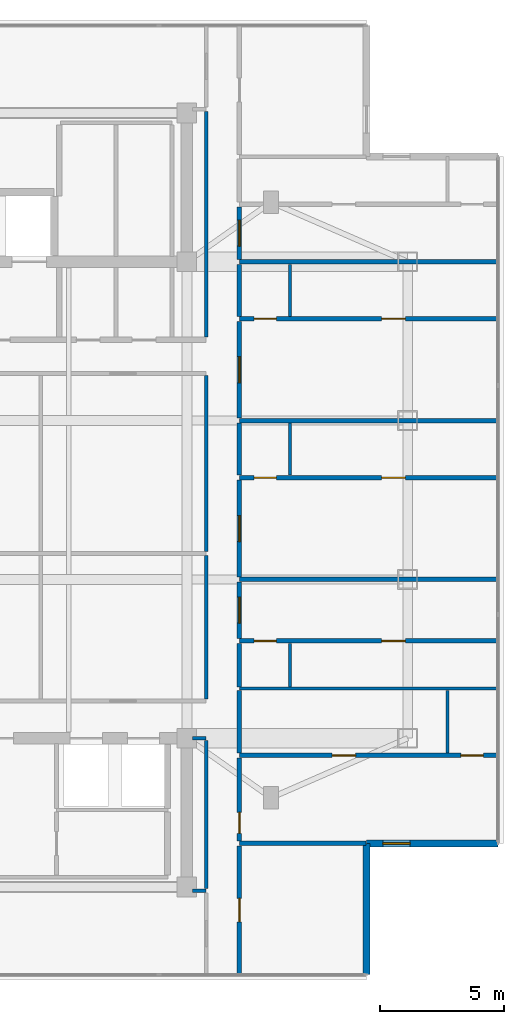
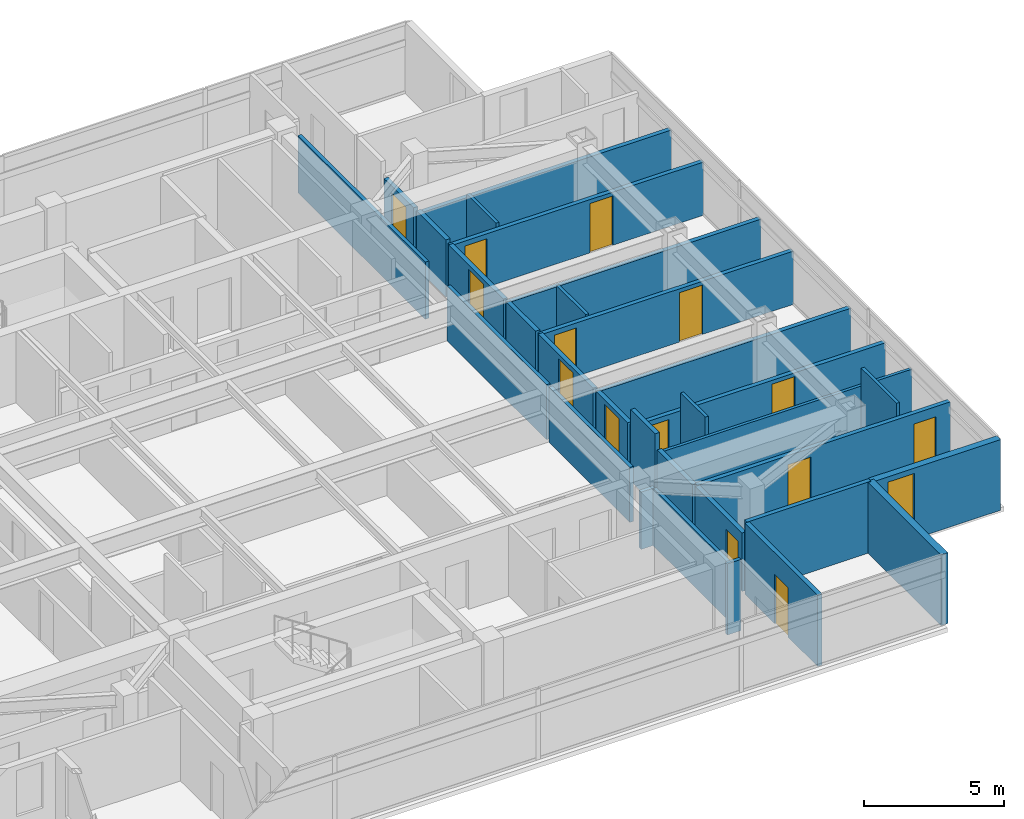
# One storey, part 10 of 14: 31 walls, 14 doors, 1 window, 15 openings.
"""IFC4 building model written with IfcOpenShell, lengths in metres."""

from ifc_helpers import new_model, si_unit, direction, frame, frame_2d, origin, place, context, subcontext, project, spatial, rectangle, extrude, material, layer, layer_set, type_object, element, fill, save


model = new_model("IFC4")

# Units and contexts
model_context = context("Model", 3, precision=1e-05, world=origin(), true_north=direction((0.0, 1.0)))
body_context = subcontext(model_context, "Body", "Model", "MODEL_VIEW")
ifc_project = project(units=[si_unit("LENGTHUNIT", "METRE"), si_unit("AREAUNIT", "SQUARE_METRE"), si_unit("VOLUMEUNIT", "CUBIC_METRE"), si_unit("PLANEANGLEUNIT", "RADIAN"), si_unit("MASSUNIT", "GRAM", prefix="KILO")], contexts=[model_context])

# Site, building, storey
site_placement = place(None, origin())
site = spatial("IfcSite", under=ifc_project, at=site_placement, CompositionType="ELEMENT")
building_placement = place(site_placement, origin())
building = spatial("IfcBuilding", under=site, at=building_placement, Name="Mirazonda Arch Towers", CompositionType="ELEMENT")
storey_placement = place(building_placement, frame((0.0, 0.0, 242.5)))
storey = spatial("IfcBuildingStorey", under=building, at=storey_placement, Name="L69", CompositionType="ELEMENT", Elevation=242.5)

# Wall, opening, window
ifc_material_1 = material(Name="Precast Concrete C40/50", Category="concrete")
ifc_layer_1 = layer(ifc_material_1, 0.280029296875, Name="WALL-EXT-WALL-280")
ifc_layer_set_1 = layer_set([ifc_layer_1], Name="Precast Concrete C40/50")
wall_type_1 = type_object("IfcWallType", Name="WALL-EXT-WALL-280", PredefinedType="SOLIDWALL", material=ifc_layer_set_1)
wall_1_placement = place(storey_placement, frame((37.25, 14.1640625, 0.0), z_axis=(0.0, 0.0, 1.0), x_axis=(1.0, 0.0, 0.0)))
wall_1 = element("IfcWall", 1, at=wall_1_placement, inside=storey, type_object=wall_type_1, Name="L69 T1 Corner Notch Return Wall WL-L69-T1-CSE1", PredefinedType="SOLIDWALL", context=body_context, shape_type="SweptSolid", body=[
    extrude(rectangle(XDim=5.2900390625, YDim=0.280029296875, at=frame_2d((2.64501953125, 0.0))), origin(), (0.0, 0.0, 1.0), 3.080078125),
])
opening_1_placement = place(wall_1_placement, frame((0.64990234375, 0.0, 0.85009765625)))
opening_1 = element("IfcOpeningElement", 2, at=opening_1_placement, cuts=wall_1, Name="Opening WN-108", PredefinedType="OPENING", context=body_context, shape_type="SweptSolid", body=[
    extrude(rectangle(XDim=1.10009765625, YDim=2.0, at=frame_2d((0.550048828125, 1.0))), frame((0.0, 0.14990234375, 0.0), z_axis=(0.0, -1.0, 0.0), x_axis=(1.0, 0.0, 0.0)), (0.0, 0.0, 1.0), 0.300048828125),
])
ifc_material_2 = material(Name="Insulated Low-E Solar Glass", Category="glass")
window_type = type_object("IfcWindowType", Name="WIN-NOTCH-1100x2000", PartitioningType="SINGLE_PANEL", PredefinedType="WINDOW", material=ifc_material_2)
window_placement = place(opening_1_placement, origin())
window = element("IfcWindow", 3, at=window_placement, inside=storey, type_object=window_type, Name="L69 Punched Facade Window WN-L69-T1-CSE1", OverallHeight=2.0, OverallWidth=1.10009765625, PartitioningType="SINGLE_PANEL", PredefinedType="WINDOW", context=body_context, shape_type="SweptSolid", body=[
    extrude(rectangle(XDim=1.10009765625, YDim=2.0, at=frame_2d((0.550048828125, 1.0))), frame((0.0, 0.030029296875, 0.0), z_axis=(0.0, -1.0, 0.0), x_axis=(1.0, 0.0, 0.0)), (0.0, 0.0, 1.0), 0.06005859375),
])
fill(opening_1, window)

# Walls
wall_2_placement = place(storey_placement, frame((37.25, 8.8740234375, 0.0), z_axis=(0.0, 0.0, 1.0), x_axis=(0.0, 1.0, 0.0)))
element("IfcWall", 4, at=wall_2_placement, inside=storey, type_object=wall_type_1, Name="L69 T1 Corner Notch Return Wall WL-L69-T1-CSE2", PredefinedType="SOLIDWALL", context=body_context, shape_type="SweptSolid", body=[
    extrude(rectangle(XDim=5.2900390625, YDim=0.280029296875, at=frame_2d((2.64501953125, 0.0))), origin(), (0.0, 0.0, 1.0), 3.080078125),
])
ifc_material_3 = material(Name="Fire-Rated Gypsum Stud Partition")
ifc_layer_2 = layer(ifc_material_3, 0.14990234375, Name="WALL-PART-CORR-150")
ifc_layer_set_2 = layer_set([ifc_layer_2], Name="Fire-Rated Gypsum Stud Partition")
wall_type_2 = type_object("IfcWallType", Name="WALL-PART-CORR-150", PredefinedType="PARTITIONING", material=ifc_layer_set_2)
wall_3_placement = place(storey_placement, frame((30.219970703125, 12.25, 0.0), z_axis=(0.0, 0.0, 1.0), x_axis=(1.0, 0.0, 0.0)))
element("IfcWall", 5, at=wall_3_placement, inside=storey, type_object=wall_type_2, Name="L69 Interior Partition 002", PredefinedType="PARTITIONING", context=body_context, shape_type="SweptSolid", body=[
    extrude(rectangle(XDim=0.56005859375, YDim=0.14990234375, at=frame_2d((0.280029296875, 0.0))), origin(), (0.0, 0.0, 1.0), 3.10009765625),
])
wall_4_placement = place(storey_placement, frame((30.219970703125, 18.39990234375, 0.0), z_axis=(0.0, 0.0, 1.0), x_axis=(1.0, 0.0, 0.0)))
element("IfcWall", 6, at=wall_4_placement, inside=storey, type_object=wall_type_2, Name="L69 Interior Partition 013", PredefinedType="PARTITIONING", context=body_context, shape_type="SweptSolid", body=[
    extrude(rectangle(XDim=0.56005859375, YDim=0.14990234375, at=frame_2d((0.280029296875, 0.0))), origin(), (0.0, 0.0, 1.0), 2.491943359375),
])
wall_5_placement = place(storey_placement, frame((30.780029296875, 12.3349609375, 0.0), z_axis=(0.0, 0.0, 1.0), x_axis=(0.0, 1.0, 0.0)))
element("IfcWall", 7, at=wall_5_placement, inside=storey, type_object=wall_type_2, Name="L69 Interior Partition 090", PredefinedType="PARTITIONING", context=body_context, shape_type="SweptSolid", body=[
    extrude(rectangle(XDim=5.97998046875, YDim=0.14990234375, at=frame_2d((2.989990234375, 0.0))), origin(), (0.0, 0.0, 1.0), 2.491943359375),
])
wall_6_placement = place(storey_placement, frame((30.780029296875, 19.985107421875, 0.0), z_axis=(0.0, 0.0, 1.0), x_axis=(0.0, 1.0, 0.0)))
element("IfcWall", 8, at=wall_6_placement, inside=storey, type_object=wall_type_2, Name="L69 Interior Partition 091", PredefinedType="PARTITIONING", context=body_context, shape_type="SweptSolid", body=[
    extrude(rectangle(XDim=5.769775390625, YDim=0.14990234375, at=frame_2d((2.884765625, 0.0))), origin(), (0.0, 0.0, 1.0), 2.39599609375),
])
wall_7_placement = place(storey_placement, frame((30.780029296875, 25.925048828125, 0.0), z_axis=(0.0, 0.0, 1.0), x_axis=(0.0, 1.0, 0.0)))
element("IfcWall", 9, at=wall_7_placement, inside=storey, type_object=wall_type_2, Name="L69 Interior Partition 092", PredefinedType="PARTITIONING", context=body_context, shape_type="SweptSolid", body=[
    extrude(rectangle(XDim=7.08984375, YDim=0.14990234375, at=frame_2d((3.544921875, 0.0))), origin(), (0.0, 0.0, 1.0), 2.39599609375),
])
wall_8_placement = place(storey_placement, frame((30.780029296875, 34.570068359375, 0.0), z_axis=(0.0, 0.0, 1.0), x_axis=(0.0, 1.0, 0.0)))
element("IfcWall", 10, at=wall_8_placement, inside=storey, type_object=wall_type_2, Name="L69 Interior Partition 093", PredefinedType="PARTITIONING", context=body_context, shape_type="SweptSolid", body=[
    extrude(rectangle(XDim=9.094970703125, YDim=0.14990234375, at=frame_2d((4.54736328125, 0.0))), origin(), (0.0, 0.0, 1.0), 2.491943359375),
])
ifc_material_4 = material(Name="Fire-Rated Gypsum Twin-Stud Assembly")
ifc_layer_3 = layer(ifc_material_4, 0.179931640625, Name="WALL-PART-DEMISE-180")
ifc_layer_set_3 = layer_set([ifc_layer_3], Name="Fire-Rated Gypsum Twin-Stud Assembly")
wall_type_3 = type_object("IfcWallType", Name="WALL-PART-DEMISE-180", PredefinedType="PARTITIONING", material=ifc_layer_set_3)
wall_9_placement = place(storey_placement, frame((32.1201171875, 14.1640625, 0.0), z_axis=(0.0, 0.0, 1.0), x_axis=(1.0, 0.0, 0.0)))
element("IfcWall", 11, at=wall_9_placement, inside=storey, type_object=wall_type_3, Name="L69 Interior Partition 006", PredefinedType="PARTITIONING", context=body_context, shape_type="SweptSolid", body=[
    extrude(rectangle(XDim=5.10986328125, YDim=0.179931640625, at=frame_2d((2.554931640625, 0.0))), origin(), (0.0, 0.0, 1.0), 3.10009765625),
])

# Wall, openings, doors
wall_10_placement = place(storey_placement, frame((32.1201171875, 17.705078125, 0.0), z_axis=(0.0, 0.0, 1.0), x_axis=(1.0, 0.0, 0.0)))
wall_10 = element("IfcWall", 12, at=wall_10_placement, inside=storey, type_object=wall_type_3, Name="L69 Interior Partition 010", PredefinedType="PARTITIONING", context=body_context, shape_type="SweptSolid", body=[
    extrude(rectangle(XDim=10.419921875, YDim=0.179931640625, at=frame_2d((5.2099609375, 0.0))), origin(), (0.0, 0.0, 1.0), 2.54296875),
])
opening_2_placement = place(wall_10_placement, frame((3.735107421875, 0.0, 0.0)))
opening_2 = element("IfcOpeningElement", 13, at=opening_2_placement, cuts=wall_10, Name="Opening DR-104", PredefinedType="OPENING", context=body_context, shape_type="SweptSolid", body=[
    extrude(rectangle(XDim=0.949951171875, YDim=2.14990234375, at=frame_2d((0.47509765625, 1.074951171875))), frame((0.0, 0.099853515625, 0.0), z_axis=(0.0, -1.0, 0.0), x_axis=(1.0, 0.0, 0.0)), (0.0, 0.0, 1.0), 0.199951171875),
])
opening_3_placement = place(wall_10_placement, frame((8.929931640625, 0.0, 0.0)))
opening_3 = element("IfcOpeningElement", 14, at=opening_3_placement, cuts=wall_10, Name="Opening DR-120", PredefinedType="OPENING", context=body_context, shape_type="SweptSolid", body=[
    extrude(rectangle(XDim=0.89990234375, YDim=2.10009765625, at=frame_2d((0.449951171875, 1.050048828125))), frame((0.0, 0.099853515625, 0.0), z_axis=(0.0, -1.0, 0.0), x_axis=(1.0, 0.0, 0.0)), (0.0, 0.0, 1.0), 0.199951171875),
])
ifc_material_5 = material(Name="Architectural Brushed Steel S355", Category="steel")
door_type_1 = type_object("IfcDoorType", Name="DOOR-ROOM-950", OperationType="NOTDEFINED", PredefinedType="DOOR", material=ifc_material_5)
door_1_placement = place(opening_2_placement, origin())
door_1 = element("IfcDoor", 15, at=door_1_placement, inside=storey, type_object=door_type_1, Name="L69 Studio 1 Galley Kitchen Door", OperationType="SINGLE_SWING_LEFT", OverallHeight=2.14990234375, OverallWidth=0.949951171875, PredefinedType="DOOR", context=body_context, shape_type="SweptSolid", body=[
    extrude(rectangle(XDim=0.949951171875, YDim=2.14990234375, at=frame_2d((0.47509765625, 1.074951171875))), frame((0.0, 0.02490234375, 0.0), z_axis=(0.0, -1.0, 0.0), x_axis=(1.0, 0.0, 0.0)), (0.0, 0.0, 1.0), 0.050048828125),
])
fill(opening_2, door_1)
door_type_2 = type_object("IfcDoorType", Name="DOOR-WC-900", OperationType="NOTDEFINED", PredefinedType="DOOR", material=ifc_material_5)
door_2_placement = place(opening_3_placement, origin())
door_2 = element("IfcDoor", 16, at=door_2_placement, inside=storey, type_object=door_type_2, Name="L69 Studio 1 Bathroom Door", OperationType="SINGLE_SWING_RIGHT", OverallHeight=2.10009765625, OverallWidth=0.89990234375, PredefinedType="DOOR", context=body_context, shape_type="SweptSolid", body=[
    extrude(rectangle(XDim=0.89990234375, YDim=2.10009765625, at=frame_2d((0.449951171875, 1.050048828125))), frame((0.0, 0.02490234375, 0.0), z_axis=(0.0, -1.0, 0.0), x_axis=(1.0, 0.0, 0.0)), (0.0, 0.0, 1.0), 0.050048828125),
])
fill(opening_3, door_2)

wall_11_placement = place(storey_placement, frame((32.1201171875, 22.320068359375, 0.0), z_axis=(0.0, 0.0, 1.0), x_axis=(1.0, 0.0, 0.0)))
wall_11 = element("IfcWall", 17, at=wall_11_placement, inside=storey, type_object=wall_type_3, Name="L69 Interior Partition 016", PredefinedType="PARTITIONING", context=body_context, shape_type="SweptSolid", body=[
    extrude(rectangle(XDim=10.419921875, YDim=0.179931640625, at=frame_2d((5.2099609375, 0.0))), origin(), (0.0, 0.0, 1.0), 2.319091796875),
])
opening_4_placement = place(wall_11_placement, frame((5.735107421875, 0.0, 0.0)))
opening_4 = element("IfcOpeningElement", 18, at=opening_4_placement, cuts=wall_11, Name="Opening DR-104", PredefinedType="OPENING", context=body_context, shape_type="SweptSolid", body=[
    extrude(rectangle(XDim=0.949951171875, YDim=2.14990234375, at=frame_2d((0.47509765625, 1.074951171875))), frame((0.0, 0.099853515625, 0.0), z_axis=(0.0, -1.0, 0.0), x_axis=(1.0, 0.0, 0.0)), (0.0, 0.0, 1.0), 0.199951171875),
])
opening_5_placement = place(wall_11_placement, frame((0.590087890625, 0.0, 0.0)))
opening_5 = element("IfcOpeningElement", 19, at=opening_5_placement, cuts=wall_11, Name="Opening DR-120", PredefinedType="OPENING", context=body_context, shape_type="SweptSolid", body=[
    extrude(rectangle(XDim=0.89990234375, YDim=2.10009765625, at=frame_2d((0.449951171875, 1.050048828125))), frame((0.0, 0.099853515625, 0.0), z_axis=(0.0, -1.0, 0.0), x_axis=(1.0, 0.0, 0.0)), (0.0, 0.0, 1.0), 0.199951171875),
])
door_3_placement = place(opening_4_placement, origin())
door_3 = element("IfcDoor", 20, at=door_3_placement, inside=storey, type_object=door_type_1, Name="L69 Studio 2 Galley Kitchen Door", OperationType="SINGLE_SWING_RIGHT", OverallHeight=2.14990234375, OverallWidth=0.949951171875, PredefinedType="DOOR", context=body_context, shape_type="SweptSolid", body=[
    extrude(rectangle(XDim=0.949951171875, YDim=2.14990234375, at=frame_2d((0.47509765625, 1.074951171875))), frame((0.0, 0.02490234375, 0.0), z_axis=(0.0, -1.0, 0.0), x_axis=(1.0, 0.0, 0.0)), (0.0, 0.0, 1.0), 0.050048828125),
])
fill(opening_4, door_3)
door_4_placement = place(opening_5_placement, origin())
door_4 = element("IfcDoor", 21, at=door_4_placement, inside=storey, type_object=door_type_2, Name="L69 Studio 2 Bathroom Door", OperationType="SINGLE_SWING_LEFT", OverallHeight=2.10009765625, OverallWidth=0.89990234375, PredefinedType="DOOR", context=body_context, shape_type="SweptSolid", body=[
    extrude(rectangle(XDim=0.89990234375, YDim=2.10009765625, at=frame_2d((0.449951171875, 1.050048828125))), frame((0.0, 0.02490234375, 0.0), z_axis=(0.0, -1.0, 0.0), x_axis=(1.0, 0.0, 0.0)), (0.0, 0.0, 1.0), 0.050048828125),
])
fill(opening_5, door_4)

# Wall
wall_12_placement = place(storey_placement, frame((32.1201171875, 24.800048828125, 0.0), z_axis=(0.0, 0.0, 1.0), x_axis=(1.0, 0.0, 0.0)))
element("IfcWall", 22, at=wall_12_placement, inside=storey, type_object=wall_type_3, Name="L69 Interior Partition 018", PredefinedType="PARTITIONING", context=body_context, shape_type="SweptSolid", body=[
    extrude(rectangle(XDim=10.419921875, YDim=0.179931640625, at=frame_2d((5.2099609375, 0.0))), origin(), (0.0, 0.0, 1.0), 2.319091796875),
])

# Wall, openings, doors
wall_13_placement = place(storey_placement, frame((32.1201171875, 28.89990234375, 0.0), z_axis=(0.0, 0.0, 1.0), x_axis=(1.0, 0.0, 0.0)))
wall_13 = element("IfcWall", 23, at=wall_13_placement, inside=storey, type_object=wall_type_3, Name="L69 Interior Partition 021", PredefinedType="PARTITIONING", context=body_context, shape_type="SweptSolid", body=[
    extrude(rectangle(XDim=10.419921875, YDim=0.179931640625, at=frame_2d((5.2099609375, 0.0))), origin(), (0.0, 0.0, 1.0), 2.319091796875),
])
opening_6_placement = place(wall_13_placement, frame((5.735107421875, 0.0, 0.0)))
opening_6 = element("IfcOpeningElement", 24, at=opening_6_placement, cuts=wall_13, Name="Opening DR-104", PredefinedType="OPENING", context=body_context, shape_type="SweptSolid", body=[
    extrude(rectangle(XDim=0.949951171875, YDim=2.14990234375, at=frame_2d((0.47509765625, 1.074951171875))), frame((0.0, 0.099853515625, 0.0), z_axis=(0.0, -1.0, 0.0), x_axis=(1.0, 0.0, 0.0)), (0.0, 0.0, 1.0), 0.199951171875),
])
opening_7_placement = place(wall_13_placement, frame((0.590087890625, 0.0, 0.0)))
opening_7 = element("IfcOpeningElement", 25, at=opening_7_placement, cuts=wall_13, Name="Opening DR-120", PredefinedType="OPENING", context=body_context, shape_type="SweptSolid", body=[
    extrude(rectangle(XDim=0.89990234375, YDim=2.10009765625, at=frame_2d((0.449951171875, 1.050048828125))), frame((0.0, 0.099853515625, 0.0), z_axis=(0.0, -1.0, 0.0), x_axis=(1.0, 0.0, 0.0)), (0.0, 0.0, 1.0), 0.199951171875),
])
door_5_placement = place(opening_6_placement, origin())
door_5 = element("IfcDoor", 26, at=door_5_placement, inside=storey, type_object=door_type_1, Name="L69 Studio 3 Galley Kitchen Door", OperationType="SINGLE_SWING_LEFT", OverallHeight=2.14990234375, OverallWidth=0.949951171875, PredefinedType="DOOR", context=body_context, shape_type="SweptSolid", body=[
    extrude(rectangle(XDim=0.949951171875, YDim=2.14990234375, at=frame_2d((0.47509765625, 1.074951171875))), frame((0.0, 0.02490234375, 0.0), z_axis=(0.0, -1.0, 0.0), x_axis=(1.0, 0.0, 0.0)), (0.0, 0.0, 1.0), 0.050048828125),
])
fill(opening_6, door_5)
door_6_placement = place(opening_7_placement, origin())
door_6 = element("IfcDoor", 27, at=door_6_placement, inside=storey, type_object=door_type_2, Name="L69 Studio 3 Bathroom Door", OperationType="SINGLE_SWING_RIGHT", OverallHeight=2.10009765625, OverallWidth=0.89990234375, PredefinedType="DOOR", context=body_context, shape_type="SweptSolid", body=[
    extrude(rectangle(XDim=0.89990234375, YDim=2.10009765625, at=frame_2d((0.449951171875, 1.050048828125))), frame((0.0, 0.02490234375, 0.0), z_axis=(0.0, -1.0, 0.0), x_axis=(1.0, 0.0, 0.0)), (0.0, 0.0, 1.0), 0.050048828125),
])
fill(opening_7, door_6)

# Wall
wall_14_placement = place(storey_placement, frame((32.1201171875, 31.199951171875, 0.0), z_axis=(0.0, 0.0, 1.0), x_axis=(1.0, 0.0, 0.0)))
element("IfcWall", 28, at=wall_14_placement, inside=storey, type_object=wall_type_3, Name="L69 Interior Partition 023", PredefinedType="PARTITIONING", context=body_context, shape_type="SweptSolid", body=[
    extrude(rectangle(XDim=10.419921875, YDim=0.179931640625, at=frame_2d((5.2099609375, 0.0))), origin(), (0.0, 0.0, 1.0), 2.319091796875),
])

# Wall, openings, doors
wall_15_placement = place(storey_placement, frame((32.1201171875, 35.300048828125, 0.0), z_axis=(0.0, 0.0, 1.0), x_axis=(1.0, 0.0, 0.0)))
wall_15 = element("IfcWall", 29, at=wall_15_placement, inside=storey, type_object=wall_type_3, Name="L69 Interior Partition 028", PredefinedType="PARTITIONING", context=body_context, shape_type="SweptSolid", body=[
    extrude(rectangle(XDim=10.419921875, YDim=0.179931640625, at=frame_2d((5.2099609375, 0.0))), origin(), (0.0, 0.0, 1.0), 2.319091796875),
])
opening_8_placement = place(wall_15_placement, frame((5.735107421875, 0.0, 0.0)))
opening_8 = element("IfcOpeningElement", 30, at=opening_8_placement, cuts=wall_15, Name="Opening DR-104", PredefinedType="OPENING", context=body_context, shape_type="SweptSolid", body=[
    extrude(rectangle(XDim=0.949951171875, YDim=2.14990234375, at=frame_2d((0.47509765625, 1.074951171875))), frame((0.0, 0.099853515625, 0.0), z_axis=(0.0, -1.0, 0.0), x_axis=(1.0, 0.0, 0.0)), (0.0, 0.0, 1.0), 0.199951171875),
])
opening_9_placement = place(wall_15_placement, frame((0.590087890625, 0.0, 0.0)))
opening_9 = element("IfcOpeningElement", 31, at=opening_9_placement, cuts=wall_15, Name="Opening DR-120", PredefinedType="OPENING", context=body_context, shape_type="SweptSolid", body=[
    extrude(rectangle(XDim=0.89990234375, YDim=2.10009765625, at=frame_2d((0.449951171875, 1.050048828125))), frame((0.0, 0.099853515625, 0.0), z_axis=(0.0, -1.0, 0.0), x_axis=(1.0, 0.0, 0.0)), (0.0, 0.0, 1.0), 0.199951171875),
])
door_7_placement = place(opening_8_placement, origin())
door_7 = element("IfcDoor", 32, at=door_7_placement, inside=storey, type_object=door_type_1, Name="L69 Studio 4 Galley Kitchen Door", OperationType="SINGLE_SWING_RIGHT", OverallHeight=2.14990234375, OverallWidth=0.949951171875, PredefinedType="DOOR", context=body_context, shape_type="SweptSolid", body=[
    extrude(rectangle(XDim=0.949951171875, YDim=2.14990234375, at=frame_2d((0.47509765625, 1.074951171875))), frame((0.0, 0.02490234375, 0.0), z_axis=(0.0, -1.0, 0.0), x_axis=(1.0, 0.0, 0.0)), (0.0, 0.0, 1.0), 0.050048828125),
])
fill(opening_8, door_7)
door_8_placement = place(opening_9_placement, origin())
door_8 = element("IfcDoor", 33, at=door_8_placement, inside=storey, type_object=door_type_2, Name="L69 Studio 4 Bathroom Door", OperationType="SINGLE_SWING_LEFT", OverallHeight=2.10009765625, OverallWidth=0.89990234375, PredefinedType="DOOR", context=body_context, shape_type="SweptSolid", body=[
    extrude(rectangle(XDim=0.89990234375, YDim=2.10009765625, at=frame_2d((0.449951171875, 1.050048828125))), frame((0.0, 0.02490234375, 0.0), z_axis=(0.0, -1.0, 0.0), x_axis=(1.0, 0.0, 0.0)), (0.0, 0.0, 1.0), 0.050048828125),
])
fill(opening_9, door_8)

# Wall
wall_16_placement = place(storey_placement, frame((32.1201171875, 37.60009765625, 0.0), z_axis=(0.0, 0.0, 1.0), x_axis=(1.0, 0.0, 0.0)))
element("IfcWall", 34, at=wall_16_placement, inside=storey, type_object=wall_type_3, Name="L69 Interior Partition 030", PredefinedType="PARTITIONING", context=body_context, shape_type="SweptSolid", body=[
    extrude(rectangle(XDim=10.419921875, YDim=0.179931640625, at=frame_2d((5.2099609375, 0.0))), origin(), (0.0, 0.0, 1.0), 2.319091796875),
])

# Wall, opening, door
wall_17_placement = place(storey_placement, frame((32.1201171875, 8.8740234375, 0.0), z_axis=(0.0, 0.0, 1.0), x_axis=(0.0, 1.0, 0.0)))
wall_17 = element("IfcWall", 35, at=wall_17_placement, inside=storey, type_object=wall_type_3, Name="L69 Interior Partition 095", PredefinedType="PARTITIONING", context=body_context, shape_type="SweptSolid", body=[
    extrude(rectangle(XDim=5.18994140625, YDim=0.179931640625, at=frame_2d((2.594970703125, 0.0))), origin(), (0.0, 0.0, 1.0), 3.10009765625),
])
opening_10_placement = place(wall_17_placement, frame((2.1201171875, 0.0, 0.0)))
opening_10 = element("IfcOpeningElement", 36, at=opening_10_placement, cuts=wall_17, Name="Opening DR-104", PredefinedType="OPENING", context=body_context, shape_type="SweptSolid", body=[
    extrude(rectangle(XDim=0.949951171875, YDim=2.14990234375, at=frame_2d((0.47509765625, 1.074951171875))), frame((0.0, 0.099853515625, 0.0), z_axis=(0.0, -1.0, 0.0), x_axis=(1.0, 0.0, 0.0)), (0.0, 0.0, 1.0), 0.199951171875),
])
door_9_placement = place(opening_10_placement, origin())
door_9 = element("IfcDoor", 37, at=door_9_placement, inside=storey, type_object=door_type_1, Name="L69 South Panoramic Study Alcove East Door", OperationType="SINGLE_SWING_RIGHT", OverallHeight=2.14990234375, OverallWidth=0.949951171875, PredefinedType="DOOR", context=body_context, shape_type="SweptSolid", body=[
    extrude(rectangle(XDim=0.949951171875, YDim=2.14990234375, at=frame_2d((0.47509765625, 1.074951171875))), frame((0.0, 0.02490234375, 0.0), z_axis=(0.0, -1.0, 0.0), x_axis=(1.0, 0.0, 0.0)), (0.0, 0.0, 1.0), 0.050048828125),
])
fill(opening_10, door_9)

wall_18_placement = place(storey_placement, frame((32.1201171875, 14.263916015625, 0.0), z_axis=(0.0, 0.0, 1.0), x_axis=(0.0, 1.0, 0.0)))
wall_18 = element("IfcWall", 38, at=wall_18_placement, inside=storey, type_object=wall_type_3, Name="L69 Interior Partition 096", PredefinedType="PARTITIONING", context=body_context, shape_type="SweptSolid", body=[
    extrude(rectangle(XDim=3.341064453125, YDim=0.179931640625, at=frame_2d((1.67041015625, 0.0))), origin(), (0.0, 0.0, 1.0), 2.54296875),
])
opening_11_placement = place(wall_18_placement, frame((0.29541015625, 0.0, 0.0)))
opening_11 = element("IfcOpeningElement", 39, at=opening_11_placement, cuts=wall_18, Name="Opening DR-128", PredefinedType="OPENING", context=body_context, shape_type="SweptSolid", body=[
    extrude(rectangle(XDim=0.85009765625, YDim=2.010009765625, at=frame_2d((0.425048828125, 1.0048828125))), frame((0.0, 0.099853515625, 0.0), z_axis=(0.0, -1.0, 0.0), x_axis=(1.0, 0.0, 0.0)), (0.0, 0.0, 1.0), 0.199951171875),
])
door_type_3 = type_object("IfcDoorType", Name="DOOR-RISER-FD60-850", OperationType="NOTDEFINED", PredefinedType="DOOR", material=ifc_material_5)
door_10_placement = place(opening_11_placement, origin())
door_10 = element("IfcDoor", 40, at=door_10_placement, inside=storey, type_object=door_type_3, Name="L69 Studio Apartment 1 Living Salon Door", OperationType="SINGLE_SWING_RIGHT", OverallHeight=2.010009765625, OverallWidth=0.85009765625, PredefinedType="DOOR", context=body_context, shape_type="SweptSolid", body=[
    extrude(rectangle(XDim=0.85009765625, YDim=2.010009765625, at=frame_2d((0.425048828125, 1.0048828125))), frame((0.0, 0.02490234375, 0.0), z_axis=(0.0, -1.0, 0.0), x_axis=(1.0, 0.0, 0.0)), (0.0, 0.0, 1.0), 0.050048828125),
])
fill(opening_11, door_10)

# Walls
wall_19_placement = place(storey_placement, frame((32.1201171875, 17.804931640625, 0.0), z_axis=(0.0, 0.0, 1.0), x_axis=(0.0, 1.0, 0.0)))
element("IfcWall", 41, at=wall_19_placement, inside=storey, type_object=wall_type_3, Name="L69 Interior Partition 097", PredefinedType="PARTITIONING", context=body_context, shape_type="SweptSolid", body=[
    extrude(rectangle(XDim=2.5224609375, YDim=0.179931640625, at=frame_2d((1.26123046875, 0.0))), origin(), (0.0, 0.0, 1.0), 2.491943359375),
])
wall_20_placement = place(storey_placement, frame((32.1201171875, 20.472412109375, 0.0), z_axis=(0.0, 0.0, 1.0), x_axis=(0.0, 1.0, 0.0)))
element("IfcWall", 42, at=wall_20_placement, inside=storey, type_object=wall_type_3, Name="L69 Interior Partition 098", PredefinedType="PARTITIONING", context=body_context, shape_type="SweptSolid", body=[
    extrude(rectangle(XDim=1.74755859375, YDim=0.179931640625, at=frame_2d((0.873779296875, 0.0))), origin(), (0.0, 0.0, 1.0), 3.10009765625),
])

# Wall, opening, door
wall_21_placement = place(storey_placement, frame((32.1201171875, 22.419921875, 0.0), z_axis=(0.0, 0.0, 1.0), x_axis=(0.0, 1.0, 0.0)))
wall_21 = element("IfcWall", 43, at=wall_21_placement, inside=storey, type_object=wall_type_3, Name="L69 Interior Partition 099", PredefinedType="PARTITIONING", context=body_context, shape_type="SweptSolid", body=[
    extrude(rectangle(XDim=2.280029296875, YDim=0.179931640625, at=frame_2d((1.14013671875, 0.0))), origin(), (0.0, 0.0, 1.0), 2.39599609375),
])
opening_12_placement = place(wall_21_placement, frame((0.614990234375, 0.0, 0.0)))
opening_12 = element("IfcOpeningElement", 44, at=opening_12_placement, cuts=wall_21, Name="Opening DR-121", PredefinedType="OPENING", context=body_context, shape_type="SweptSolid", body=[
    extrude(rectangle(XDim=1.050048828125, YDim=2.199951171875, at=frame_2d((0.52490234375, 1.10009765625))), frame((0.0, 0.099853515625, 0.0), z_axis=(0.0, -1.0, 0.0), x_axis=(1.0, 0.0, 0.0)), (0.0, 0.0, 1.0), 0.199951171875),
])
door_type_4 = type_object("IfcDoorType", Name="DOOR-SUITE-FD60-1050", OperationType="NOTDEFINED", PredefinedType="DOOR", material=ifc_material_5)
door_11_placement = place(opening_12_placement, origin())
door_11 = element("IfcDoor", 45, at=door_11_placement, inside=storey, type_object=door_type_4, Name="L69 Studio Apartment 2 Living Salon Door", OperationType="SINGLE_SWING_LEFT", OverallHeight=2.199951171875, OverallWidth=1.050048828125, PredefinedType="DOOR", context=body_context, shape_type="SweptSolid", body=[
    extrude(rectangle(XDim=1.050048828125, YDim=2.199951171875, at=frame_2d((0.52490234375, 1.10009765625))), frame((0.0, 0.02490234375, 0.0), z_axis=(0.0, -1.0, 0.0), x_axis=(1.0, 0.0, 0.0)), (0.0, 0.0, 1.0), 0.050048828125),
])
fill(opening_12, door_11)

wall_22_placement = place(storey_placement, frame((32.1201171875, 24.89990234375, 0.0), z_axis=(0.0, 0.0, 1.0), x_axis=(0.0, 1.0, 0.0)))
wall_22 = element("IfcWall", 46, at=wall_22_placement, inside=storey, type_object=wall_type_3, Name="L69 Interior Partition 100", PredefinedType="PARTITIONING", context=body_context, shape_type="SweptSolid", body=[
    extrude(rectangle(XDim=3.900146484375, YDim=0.179931640625, at=frame_2d((1.9501953125, 0.0))), origin(), (0.0, 0.0, 1.0), 2.39599609375),
])
opening_13_placement = place(wall_22_placement, frame((1.425048828125, 0.0, 0.0)))
opening_13 = element("IfcOpeningElement", 47, at=opening_13_placement, cuts=wall_22, Name="Opening DR-121", PredefinedType="OPENING", context=body_context, shape_type="SweptSolid", body=[
    extrude(rectangle(XDim=1.050048828125, YDim=2.199951171875, at=frame_2d((0.52490234375, 1.10009765625))), frame((0.0, 0.099853515625, 0.0), z_axis=(0.0, -1.0, 0.0), x_axis=(1.0, 0.0, 0.0)), (0.0, 0.0, 1.0), 0.199951171875),
])
door_12_placement = place(opening_13_placement, origin())
door_12 = element("IfcDoor", 48, at=door_12_placement, inside=storey, type_object=door_type_4, Name="L69 Studio Apartment 3 Living Salon Door", OperationType="SINGLE_SWING_RIGHT", OverallHeight=2.199951171875, OverallWidth=1.050048828125, PredefinedType="DOOR", context=body_context, shape_type="SweptSolid", body=[
    extrude(rectangle(XDim=1.050048828125, YDim=2.199951171875, at=frame_2d((0.52490234375, 1.10009765625))), frame((0.0, 0.02490234375, 0.0), z_axis=(0.0, -1.0, 0.0), x_axis=(1.0, 0.0, 0.0)), (0.0, 0.0, 1.0), 0.050048828125),
])
fill(opening_13, door_12)

# Wall
wall_23_placement = place(storey_placement, frame((32.1201171875, 29.0, 0.0), z_axis=(0.0, 0.0, 1.0), x_axis=(0.0, 1.0, 0.0)))
element("IfcWall", 49, at=wall_23_placement, inside=storey, type_object=wall_type_3, Name="L69 Interior Partition 101", PredefinedType="PARTITIONING", context=body_context, shape_type="SweptSolid", body=[
    extrude(rectangle(XDim=2.10009765625, YDim=0.179931640625, at=frame_2d((1.050048828125, 0.0))), origin(), (0.0, 0.0, 1.0), 2.39599609375),
])

# Wall, opening, door
wall_24_placement = place(storey_placement, frame((32.1201171875, 31.300048828125, 0.0), z_axis=(0.0, 0.0, 1.0), x_axis=(0.0, 1.0, 0.0)))
wall_24 = element("IfcWall", 50, at=wall_24_placement, inside=storey, type_object=wall_type_3, Name="L69 Interior Partition 102", PredefinedType="PARTITIONING", context=body_context, shape_type="SweptSolid", body=[
    extrude(rectangle(XDim=3.89990234375, YDim=0.179931640625, at=frame_2d((1.949951171875, 0.0))), origin(), (0.0, 0.0, 1.0), 2.39599609375),
])
opening_14_placement = place(wall_24_placement, frame((1.425048828125, 0.0, 0.0)))
opening_14 = element("IfcOpeningElement", 51, at=opening_14_placement, cuts=wall_24, Name="Opening DR-121", PredefinedType="OPENING", context=body_context, shape_type="SweptSolid", body=[
    extrude(rectangle(XDim=1.050048828125, YDim=2.199951171875, at=frame_2d((0.52490234375, 1.10009765625))), frame((0.0, 0.099853515625, 0.0), z_axis=(0.0, -1.0, 0.0), x_axis=(1.0, 0.0, 0.0)), (0.0, 0.0, 1.0), 0.199951171875),
])
door_13_placement = place(opening_14_placement, origin())
door_13 = element("IfcDoor", 52, at=door_13_placement, inside=storey, type_object=door_type_4, Name="L69 Studio Apartment 4 Living Salon Door", OperationType="SINGLE_SWING_LEFT", OverallHeight=2.199951171875, OverallWidth=1.050048828125, PredefinedType="DOOR", context=body_context, shape_type="SweptSolid", body=[
    extrude(rectangle(XDim=1.050048828125, YDim=2.199951171875, at=frame_2d((0.52490234375, 1.10009765625))), frame((0.0, 0.02490234375, 0.0), z_axis=(0.0, -1.0, 0.0), x_axis=(1.0, 0.0, 0.0)), (0.0, 0.0, 1.0), 0.050048828125),
])
fill(opening_14, door_13)

# Wall
wall_25_placement = place(storey_placement, frame((32.1201171875, 35.39990234375, 0.0), z_axis=(0.0, 0.0, 1.0), x_axis=(0.0, 1.0, 0.0)))
element("IfcWall", 53, at=wall_25_placement, inside=storey, type_object=wall_type_3, Name="L69 Interior Partition 103", PredefinedType="PARTITIONING", context=body_context, shape_type="SweptSolid", body=[
    extrude(rectangle(XDim=2.10009765625, YDim=0.179931640625, at=frame_2d((1.050048828125, 0.0))), origin(), (0.0, 0.0, 1.0), 2.491943359375),
])

# Wall, opening, door
wall_26_placement = place(storey_placement, frame((32.1201171875, 37.699951171875, 0.0), z_axis=(0.0, 0.0, 1.0), x_axis=(0.0, 1.0, 0.0)))
wall_26 = element("IfcWall", 54, at=wall_26_placement, inside=storey, type_object=wall_type_3, Name="L69 Interior Partition 104", PredefinedType="PARTITIONING", context=body_context, shape_type="SweptSolid", body=[
    extrude(rectangle(XDim=2.115966796875, YDim=0.179931640625, at=frame_2d((1.05810546875, 0.0))), origin(), (0.0, 0.0, 1.0), 2.491943359375),
])
opening_15_placement = place(wall_26_placement, frame((0.532958984375, 0.0, 0.0)))
opening_15 = element("IfcOpeningElement", 55, at=opening_15_placement, cuts=wall_26, Name="Opening DR-121", PredefinedType="OPENING", context=body_context, shape_type="SweptSolid", body=[
    extrude(rectangle(XDim=1.050048828125, YDim=2.199951171875, at=frame_2d((0.52490234375, 1.10009765625))), frame((0.0, 0.099853515625, 0.0), z_axis=(0.0, -1.0, 0.0), x_axis=(1.0, 0.0, 0.0)), (0.0, 0.0, 1.0), 0.199951171875),
])
door_14_placement = place(opening_15_placement, origin())
door_14 = element("IfcDoor", 56, at=door_14_placement, inside=storey, type_object=door_type_4, Name="L69 Studio Apartment 5 Living Salon Door", OperationType="SINGLE_SWING_RIGHT", OverallHeight=2.199951171875, OverallWidth=1.050048828125, PredefinedType="DOOR", context=body_context, shape_type="SweptSolid", body=[
    extrude(rectangle(XDim=1.050048828125, YDim=2.199951171875, at=frame_2d((0.52490234375, 1.10009765625))), frame((0.0, 0.02490234375, 0.0), z_axis=(0.0, -1.0, 0.0), x_axis=(1.0, 0.0, 0.0)), (0.0, 0.0, 1.0), 0.050048828125),
])
fill(opening_15, door_14)

# Walls
ifc_material_6 = material(Name="Acoustic Fire-Rated Gypsum Partition")
ifc_layer_4 = layer(ifc_material_6, 0.125, Name="WALL-PART-UNIT-125")
ifc_layer_set_4 = layer_set([ifc_layer_4], Name="Acoustic Fire-Rated Gypsum Partition")
wall_type_4 = type_object("IfcWallType", Name="WALL-PART-UNIT-125", PredefinedType="PARTITIONING", material=ifc_layer_set_4)
wall_27_placement = place(storey_placement, frame((32.1201171875, 20.39990234375, 0.0), z_axis=(0.0, 0.0, 1.0), x_axis=(1.0, 0.0, 0.0)))
element("IfcWall", 57, at=wall_27_placement, inside=storey, type_object=wall_type_4, Name="L69 Interior Partition 015", PredefinedType="PARTITIONING", context=body_context, shape_type="SweptSolid", body=[
    extrude(rectangle(XDim=10.419921875, YDim=0.125, at=frame_2d((5.2099609375, 0.0))), origin(), (0.0, 0.0, 1.0), 2.319091796875),
])
wall_28_placement = place(storey_placement, frame((34.159912109375, 20.472412109375, 0.0), z_axis=(0.0, 0.0, 1.0), x_axis=(0.0, 1.0, 0.0)))
element("IfcWall", 58, at=wall_28_placement, inside=storey, type_object=wall_type_4, Name="L69 Interior Partition 107", PredefinedType="PARTITIONING", context=body_context, shape_type="SweptSolid", body=[
    extrude(rectangle(XDim=1.74755859375, YDim=0.125, at=frame_2d((0.873779296875, 0.0))), origin(), (0.0, 0.0, 1.0), 3.10009765625),
])
wall_29_placement = place(storey_placement, frame((34.159912109375, 29.0, 0.0), z_axis=(0.0, 0.0, 1.0), x_axis=(0.0, 1.0, 0.0)))
element("IfcWall", 59, at=wall_29_placement, inside=storey, type_object=wall_type_4, Name="L69 Interior Partition 108", PredefinedType="PARTITIONING", context=body_context, shape_type="SweptSolid", body=[
    extrude(rectangle(XDim=2.10009765625, YDim=0.125, at=frame_2d((1.050048828125, 0.0))), origin(), (0.0, 0.0, 1.0), 2.39599609375),
])
wall_30_placement = place(storey_placement, frame((34.159912109375, 35.39990234375, 0.0), z_axis=(0.0, 0.0, 1.0), x_axis=(0.0, 1.0, 0.0)))
element("IfcWall", 60, at=wall_30_placement, inside=storey, type_object=wall_type_4, Name="L69 Interior Partition 109", PredefinedType="PARTITIONING", context=body_context, shape_type="SweptSolid", body=[
    extrude(rectangle(XDim=2.10009765625, YDim=0.125, at=frame_2d((1.050048828125, 0.0))), origin(), (0.0, 0.0, 1.0), 2.491943359375),
])
wall_31_placement = place(storey_placement, frame((40.5, 17.804931640625, 0.0), z_axis=(0.0, 0.0, 1.0), x_axis=(0.0, 1.0, 0.0)))
element("IfcWall", 61, at=wall_31_placement, inside=storey, type_object=wall_type_4, Name="L69 Interior Partition 110", PredefinedType="PARTITIONING", context=body_context, shape_type="SweptSolid", body=[
    extrude(rectangle(XDim=2.5224609375, YDim=0.125, at=frame_2d((1.26123046875, 0.0))), origin(), (0.0, 0.0, 1.0), 3.10009765625),
])

save(model, "model.ifc")
